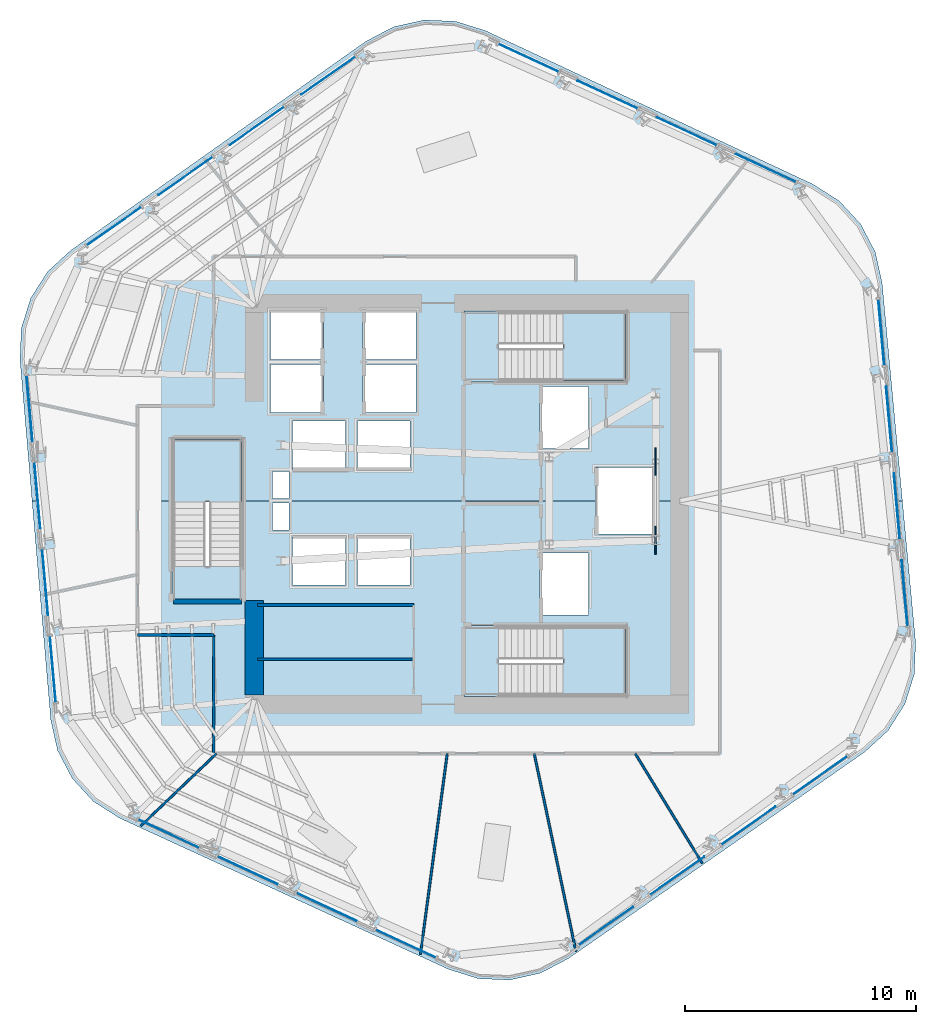
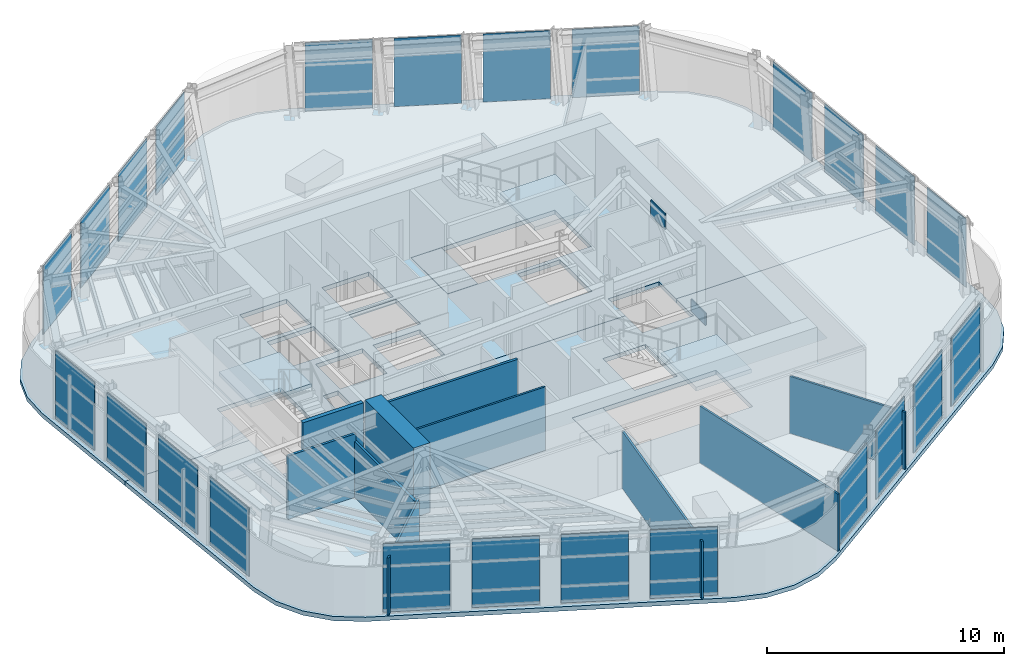
# One storey, part 7 of 14: 26 plates, 10 walls, 8 slabs, 9 elements without a shape of their own.
"""IFC4 building model written with IfcOpenShell, lengths in metres."""

from ifc_helpers import new_model, si_unit, direction, frame, frame_2d, origin, origin_2d, place, context, subcontext, project, spatial, polyline, rectangle, outline, extrude, material, layer, layer_set, type_object, element, aggregate, save


model = new_model("IFC4")

# Units and contexts
model_context = context("Model", 3, precision=1e-05, world=origin(), true_north=direction((0.0, 1.0)))
body_context = subcontext(model_context, "Body", "Model", "MODEL_VIEW")
ifc_project = project(units=[si_unit("LENGTHUNIT", "METRE"), si_unit("AREAUNIT", "SQUARE_METRE"), si_unit("VOLUMEUNIT", "CUBIC_METRE"), si_unit("PLANEANGLEUNIT", "RADIAN"), si_unit("MASSUNIT", "GRAM", prefix="KILO")], contexts=[model_context])

# Site, building, storey
site_placement = place(None, origin())
site = spatial("IfcSite", under=ifc_project, at=site_placement, CompositionType="ELEMENT")
building_placement = place(site_placement, origin())
building = spatial("IfcBuilding", under=site, at=building_placement, Name="Valkerne Bourse Tower", CompositionType="ELEMENT")
storey_placement = place(building_placement, frame((0.0, 0.0, 174.199951171875)))
storey = spatial("IfcBuildingStorey", under=building, at=storey_placement, Name="L44", CompositionType="ELEMENT", Elevation=174.199951171875)

# Curtain wall, plates
ifc_material_1 = material(Name="Aluminium AA 6063-T6", Category="aluminium")
ifc_layer_1 = layer(ifc_material_1, 0.235107421875)
ifc_layer_set_1 = layer_set([ifc_layer_1], Name="Aluminium AA 6063-T6")
curtain_wall_type = type_object("IfcCurtainWallType", Name="CW-03", PredefinedType="NOTDEFINED", material=ifc_layer_set_1)
curtain_wall_1_placement = place(storey_placement, origin())
curtain_wall_1 = element("IfcCurtainWall", 1, at=curtain_wall_1_placement, inside=storey, type_object=curtain_wall_type, Name="L44 Hexagonal Stick Curtain Wall Face 1", PredefinedType="NOTDEFINED")
ifc_material_2 = material(Name="Glass IGU Low-E Double Glazed", Category="glass")
ifc_layer_2 = layer(ifc_material_2, 0.031982421875)
ifc_layer_set_2 = layer_set([ifc_layer_2], Name="Glass IGU Low-E Double Glazed")
plate_type_1 = type_object("IfcPlateType", Name="CW-PNL-IGU-32", PredefinedType="CURTAIN_PANEL", material=ifc_layer_set_2)
plate_1_placement = place(storey_placement, frame((59.712890625, 41.383544921875, 0.030029296875), z_axis=(0.0, 0.0, 1.0), x_axis=(-0.907048392955, 0.421026380215, 0.0)))
plate_1 = element("IfcPlate", 2, at=plate_1_placement, type_object=plate_type_1, Name="CW-L44-F1 Curtain Panel 00", PredefinedType="CURTAIN_PANEL", context=body_context, shape_type="SweptSolid", body=[
    extrude(rectangle(XDim=2.85107421875, YDim=0.031982421875, at=origin_2d()), origin(), (0.0, 0.0, 1.0), 3.52001953125),
])
plate_2_placement = place(storey_placement, frame((56.292236328125, 42.97119140625, 0.030029296875), z_axis=(0.0, 0.0, 1.0), x_axis=(-0.90704369212, 0.421036507426, 0.0)))
plate_2 = element("IfcPlate", 3, at=plate_2_placement, type_object=plate_type_1, Name="CW-L44-F1 Curtain Panel 01", PredefinedType="CURTAIN_PANEL", context=body_context, shape_type="SweptSolid", body=[
    extrude(rectangle(XDim=2.85107421875, YDim=0.031982421875, at=origin_2d()), origin(), (0.0, 0.0, 1.0), 3.52001953125),
])
plate_3_placement = place(storey_placement, frame((52.871826171875, 44.558837890625, 0.030029296875), z_axis=(0.0, 0.0, 1.0), x_axis=(-0.907048392955, 0.421026380215, 0.0)))
plate_3 = element("IfcPlate", 4, at=plate_3_placement, type_object=plate_type_1, Name="CW-L44-F1 Curtain Panel 02", PredefinedType="CURTAIN_PANEL", context=body_context, shape_type="SweptSolid", body=[
    extrude(rectangle(XDim=2.85107421875, YDim=0.031982421875, at=origin_2d()), origin(), (0.0, 0.0, 1.0), 3.52001953125),
])
plate_4_placement = place(storey_placement, frame((49.451416015625, 46.146728515625, 0.030029296875), z_axis=(0.0, 0.0, 1.0), x_axis=(-0.907038265814, 0.42104819718, 0.0)))
plate_4 = element("IfcPlate", 5, at=plate_4_placement, type_object=plate_type_1, Name="CW-L44-F1 Curtain Panel 03", PredefinedType="CURTAIN_PANEL", context=body_context, shape_type="SweptSolid", body=[
    extrude(rectangle(XDim=2.85107421875, YDim=0.031982421875, at=origin_2d()), origin(), (0.0, 0.0, 1.0), 3.52001953125),
])
aggregate(curtain_wall_1, [plate_1, plate_2, plate_3, plate_4])

curtain_wall_2_placement = place(storey_placement, origin())
curtain_wall_2 = element("IfcCurtainWall", 6, at=curtain_wall_2_placement, inside=storey, type_object=curtain_wall_type, Name="L44 Hexagonal Stick Curtain Wall Face 2", PredefinedType="NOTDEFINED")
plate_5_placement = place(storey_placement, frame((40.7998046875, 45.37451171875, 0.030029296875), z_axis=(0.0, 0.0, 1.0), x_axis=(-0.818139097953, -0.575020361728, 0.0)))
plate_5 = element("IfcPlate", 7, at=plate_5_placement, type_object=plate_type_1, Name="CW-L44-F2 Curtain Panel 00", PredefinedType="CURTAIN_PANEL", context=body_context, shape_type="SweptSolid", body=[
    extrude(rectangle(XDim=2.85107421875, YDim=0.031982421875, at=origin_2d()), origin(), (0.0, 0.0, 1.0), 3.52001953125),
])
plate_6_placement = place(storey_placement, frame((37.714599609375, 43.206298828125, 0.030029296875), z_axis=(0.0, 0.0, 1.0), x_axis=(-0.818160340843, -0.574990136151, 0.0)))
plate_6 = element("IfcPlate", 8, at=plate_6_placement, type_object=plate_type_1, Name="CW-L44-F2 Curtain Panel 01", PredefinedType="CURTAIN_PANEL", context=body_context, shape_type="SweptSolid", body=[
    extrude(rectangle(XDim=2.85107421875, YDim=0.031982421875, at=origin_2d()), origin(), (0.0, 0.0, 1.0), 3.52001953125),
])
plate_7_placement = place(storey_placement, frame((34.62939453125, 41.037841796875, 0.030029296875), z_axis=(0.0, 0.0, 1.0), x_axis=(-0.818139097953, -0.575020361728, 0.0)))
plate_7 = element("IfcPlate", 9, at=plate_7_placement, type_object=plate_type_1, Name="CW-L44-F2 Curtain Panel 02", PredefinedType="CURTAIN_PANEL", context=body_context, shape_type="SweptSolid", body=[
    extrude(rectangle(XDim=2.85107421875, YDim=0.031982421875, at=origin_2d()), origin(), (0.0, 0.0, 1.0), 3.52001953125),
])
plate_8_placement = place(storey_placement, frame((31.544189453125, 38.86962890625, 0.030029296875), z_axis=(0.0, 0.0, 1.0), x_axis=(-0.818151573339, -0.575002611335, 0.0)))
plate_8 = element("IfcPlate", 10, at=plate_8_placement, type_object=plate_type_1, Name="CW-L44-F2 Curtain Panel 03", PredefinedType="CURTAIN_PANEL", context=body_context, shape_type="SweptSolid", body=[
    extrude(rectangle(XDim=2.85107421875, YDim=0.031982421875, at=origin_2d()), origin(), (0.0, 0.0, 1.0), 3.52001953125),
])
aggregate(curtain_wall_2, [plate_5, plate_6, plate_7, plate_8])

curtain_wall_3_placement = place(storey_placement, origin())
curtain_wall_3 = element("IfcCurtainWall", 11, at=curtain_wall_3_placement, inside=storey, type_object=curtain_wall_type, Name="L44 Hexagonal Stick Curtain Wall Face 3", PredefinedType="NOTDEFINED")
plate_9_placement = place(storey_placement, frame((27.88720703125, 30.990966796875, 0.030029296875), z_axis=(0.0, 0.0, 1.0), x_axis=(0.088888247408, -0.996041605292, 0.0)))
plate_9 = element("IfcPlate", 12, at=plate_9_placement, type_object=plate_type_1, Name="CW-L44-F3 Curtain Panel 00", PredefinedType="CURTAIN_PANEL", context=body_context, shape_type="SweptSolid", body=[
    extrude(rectangle(XDim=2.85107421875, YDim=0.031982421875, at=origin_2d()), origin(), (0.0, 0.0, 1.0), 3.52001953125),
])
plate_10_placement = place(storey_placement, frame((28.222412109375, 27.235107421875, 0.030029296875), z_axis=(0.0, 0.0, 1.0), x_axis=(0.088890595284, -0.996041395761, 0.0)))
plate_10 = element("IfcPlate", 13, at=plate_10_placement, type_object=plate_type_1, Name="CW-L44-F3 Curtain Panel 01", PredefinedType="CURTAIN_PANEL", context=body_context, shape_type="SweptSolid", body=[
    extrude(rectangle(XDim=2.850830078125, YDim=0.031982421875, at=origin_2d()), origin(), (0.0, 0.0, 1.0), 3.52001953125),
])
plate_11_placement = place(storey_placement, frame((28.5576171875, 23.47900390625, 0.030029296875), z_axis=(0.0, 0.0, 1.0), x_axis=(0.088888247408, -0.996041605292, 0.0)))
plate_11 = element("IfcPlate", 14, at=plate_11_placement, type_object=plate_type_1, Name="CW-L44-F3 Curtain Panel 02", PredefinedType="CURTAIN_PANEL", context=body_context, shape_type="SweptSolid", body=[
    extrude(rectangle(XDim=2.85107421875, YDim=0.031982421875, at=origin_2d()), origin(), (0.0, 0.0, 1.0), 3.52001953125),
])
plate_12_placement = place(storey_placement, frame((28.892578125, 19.722900390625, 0.030029296875), z_axis=(0.0, 0.0, 1.0), x_axis=(0.088888247408, -0.996041605292, 0.0)))
plate_12 = element("IfcPlate", 15, at=plate_12_placement, type_object=plate_type_1, Name="CW-L44-F3 Curtain Panel 03", PredefinedType="CURTAIN_PANEL", context=body_context, shape_type="SweptSolid", body=[
    extrude(rectangle(XDim=2.85107421875, YDim=0.031982421875, at=origin_2d()), origin(), (0.0, 0.0, 1.0), 3.52001953125),
])
aggregate(curtain_wall_3, [plate_9, plate_10, plate_11, plate_12])

curtain_wall_4_placement = place(storey_placement, origin())
curtain_wall_4 = element("IfcCurtainWall", 16, at=curtain_wall_4_placement, inside=storey, type_object=curtain_wall_type, Name="L44 Hexagonal Stick Curtain Wall Face 4", PredefinedType="NOTDEFINED")
plate_13_placement = place(storey_placement, frame((33.88720703125, 12.616455078125, 0.030029296875), z_axis=(0.0, 0.0, 1.0), x_axis=(0.907048392955, -0.421026380215, 0.0)))
plate_13 = element("IfcPlate", 17, at=plate_13_placement, type_object=plate_type_1, Name="CW-L44-F4 Curtain Panel 00", PredefinedType="CURTAIN_PANEL", context=body_context, shape_type="SweptSolid", body=[
    extrude(rectangle(XDim=2.85107421875, YDim=0.031982421875, at=origin_2d()), origin(), (0.0, 0.0, 1.0), 3.52001953125),
])
plate_14_placement = place(storey_placement, frame((37.3076171875, 11.02880859375, 0.030029296875), z_axis=(0.0, 0.0, 1.0), x_axis=(0.90704369212, -0.421036507426, 0.0)))
plate_14 = element("IfcPlate", 18, at=plate_14_placement, type_object=plate_type_1, Name="CW-L44-F4 Curtain Panel 01", PredefinedType="CURTAIN_PANEL", context=body_context, shape_type="SweptSolid", body=[
    extrude(rectangle(XDim=2.85107421875, YDim=0.031982421875, at=origin_2d()), origin(), (0.0, 0.0, 1.0), 3.52001953125),
])
plate_15_placement = place(storey_placement, frame((40.72802734375, 9.441162109375, 0.030029296875), z_axis=(0.0, 0.0, 1.0), x_axis=(0.907048392955, -0.421026380215, 0.0)))
plate_15 = element("IfcPlate", 19, at=plate_15_placement, type_object=plate_type_1, Name="CW-L44-F4 Curtain Panel 02", PredefinedType="CURTAIN_PANEL", context=body_context, shape_type="SweptSolid", body=[
    extrude(rectangle(XDim=2.85107421875, YDim=0.031982421875, at=origin_2d()), origin(), (0.0, 0.0, 1.0), 3.52001953125),
])
plate_16_placement = place(storey_placement, frame((44.148681640625, 7.853271484375, 0.030029296875), z_axis=(0.0, 0.0, 1.0), x_axis=(0.907038265814, -0.42104819718, 0.0)))
plate_16 = element("IfcPlate", 20, at=plate_16_placement, type_object=plate_type_1, Name="CW-L44-F4 Curtain Panel 03", PredefinedType="CURTAIN_PANEL", context=body_context, shape_type="SweptSolid", body=[
    extrude(rectangle(XDim=2.85107421875, YDim=0.031982421875, at=origin_2d()), origin(), (0.0, 0.0, 1.0), 3.52001953125),
])
aggregate(curtain_wall_4, [plate_13, plate_14, plate_15, plate_16])

curtain_wall_5_placement = place(storey_placement, origin())
curtain_wall_5 = element("IfcCurtainWall", 21, at=curtain_wall_5_placement, inside=storey, type_object=curtain_wall_type, Name="L44 Hexagonal Stick Curtain Wall Face 5", PredefinedType="NOTDEFINED")
plate_17_placement = place(storey_placement, frame((52.800048828125, 8.62548828125, 0.030029296875), z_axis=(0.0, 0.0, 1.0), x_axis=(0.818139097953, 0.575020361728, 0.0)))
plate_17 = element("IfcPlate", 22, at=plate_17_placement, type_object=plate_type_1, Name="CW-L44-F5 Curtain Panel 00", PredefinedType="CURTAIN_PANEL", context=body_context, shape_type="SweptSolid", body=[
    extrude(rectangle(XDim=2.85107421875, YDim=0.031982421875, at=origin_2d()), origin(), (0.0, 0.0, 1.0), 3.52001953125),
])
plate_18_placement = place(storey_placement, frame((55.885498046875, 10.793701171875, 0.030029296875), z_axis=(0.0, 0.0, 1.0), x_axis=(0.818160340843, 0.574990136151, 0.0)))
plate_18 = element("IfcPlate", 23, at=plate_18_placement, type_object=plate_type_1, Name="CW-L44-F5 Curtain Panel 01", PredefinedType="CURTAIN_PANEL", context=body_context, shape_type="SweptSolid", body=[
    extrude(rectangle(XDim=2.85107421875, YDim=0.031982421875, at=origin_2d()), origin(), (0.0, 0.0, 1.0), 3.52001953125),
])
plate_19_placement = place(storey_placement, frame((58.970703125, 12.962158203125, 0.030029296875), z_axis=(0.0, 0.0, 1.0), x_axis=(0.818139097953, 0.575020361728, 0.0)))
plate_19 = element("IfcPlate", 24, at=plate_19_placement, type_object=plate_type_1, Name="CW-L44-F5 Curtain Panel 02", PredefinedType="CURTAIN_PANEL", context=body_context, shape_type="SweptSolid", body=[
    extrude(rectangle(XDim=2.85107421875, YDim=0.031982421875, at=origin_2d()), origin(), (0.0, 0.0, 1.0), 3.52001953125),
])
plate_20_placement = place(storey_placement, frame((62.055908203125, 15.13037109375, 0.030029296875), z_axis=(0.0, 0.0, 1.0), x_axis=(0.818151573339, 0.575002611335, 0.0)))
plate_20 = element("IfcPlate", 25, at=plate_20_placement, type_object=plate_type_1, Name="CW-L44-F5 Curtain Panel 03", PredefinedType="CURTAIN_PANEL", context=body_context, shape_type="SweptSolid", body=[
    extrude(rectangle(XDim=2.85107421875, YDim=0.031982421875, at=origin_2d()), origin(), (0.0, 0.0, 1.0), 3.52001953125),
])
aggregate(curtain_wall_5, [plate_17, plate_18, plate_19, plate_20])

curtain_wall_6_placement = place(storey_placement, origin())
curtain_wall_6 = element("IfcCurtainWall", 26, at=curtain_wall_6_placement, inside=storey, type_object=curtain_wall_type, Name="L44 Hexagonal Stick Curtain Wall Face 6", PredefinedType="NOTDEFINED")
plate_21_placement = place(storey_placement, frame((65.712890625, 23.009033203125, 0.030029296875), z_axis=(0.0, 0.0, 1.0), x_axis=(-0.088888247408, 0.996041605292, 0.0)))
plate_21 = element("IfcPlate", 27, at=plate_21_placement, type_object=plate_type_1, Name="CW-L44-F6 Curtain Panel 00", PredefinedType="CURTAIN_PANEL", context=body_context, shape_type="SweptSolid", body=[
    extrude(rectangle(XDim=2.85107421875, YDim=0.031982421875, at=origin_2d()), origin(), (0.0, 0.0, 1.0), 3.52001953125),
])
plate_22_placement = place(storey_placement, frame((65.377685546875, 26.764892578125, 0.030029296875), z_axis=(0.0, 0.0, 1.0), x_axis=(-0.088890595284, 0.996041395761, 0.0)))
plate_22 = element("IfcPlate", 28, at=plate_22_placement, type_object=plate_type_1, Name="CW-L44-F6 Curtain Panel 01", PredefinedType="CURTAIN_PANEL", context=body_context, shape_type="SweptSolid", body=[
    extrude(rectangle(XDim=2.850830078125, YDim=0.031982421875, at=origin_2d()), origin(), (0.0, 0.0, 1.0), 3.52001953125),
])
plate_23_placement = place(storey_placement, frame((65.04248046875, 30.52099609375, 0.030029296875), z_axis=(0.0, 0.0, 1.0), x_axis=(-0.088888247408, 0.996041605292, 0.0)))
plate_23 = element("IfcPlate", 29, at=plate_23_placement, type_object=plate_type_1, Name="CW-L44-F6 Curtain Panel 02", PredefinedType="CURTAIN_PANEL", context=body_context, shape_type="SweptSolid", body=[
    extrude(rectangle(XDim=2.85107421875, YDim=0.031982421875, at=origin_2d()), origin(), (0.0, 0.0, 1.0), 3.52001953125),
])
plate_24_placement = place(storey_placement, frame((64.707275390625, 34.277099609375, 0.030029296875), z_axis=(0.0, 0.0, 1.0), x_axis=(-0.088888247408, 0.996041605292, 0.0)))
plate_24 = element("IfcPlate", 30, at=plate_24_placement, type_object=plate_type_1, Name="CW-L44-F6 Curtain Panel 03", PredefinedType="CURTAIN_PANEL", context=body_context, shape_type="SweptSolid", body=[
    extrude(rectangle(XDim=2.85107421875, YDim=0.031982421875, at=origin_2d()), origin(), (0.0, 0.0, 1.0), 3.52001953125),
])
aggregate(curtain_wall_6, [plate_21, plate_22, plate_23, plate_24])

# Plates
ifc_material_3 = material(Name="Steel ASTM A572 Grade 50", Category="steel")
ifc_layer_3 = layer(ifc_material_3, 0.06005859375)
ifc_layer_set_3 = layer_set([ifc_layer_3], Name="Steel ASTM A572 Grade 50")
plate_type_2 = type_object("IfcPlateType", Name="PLT-GUS-60", PredefinedType="SHEET", material=ifc_layer_set_3)
for number, where, z_axis, x_axis, name in (
    (31, (54.949951171875, 25.300048828125, -0.18017578125), (0.0, 0.0, 1.0), (0.0, 1.0, 0.0), "L44 Brace Node Gusset Plate PLT-GUS-END-L44-404"),
    (32, (54.949951171875, 28.699951171875, 2.8740234375), (0.0, 0.0, 1.0), (0.0, 1.0, 0.0), "L44 Brace Node Gusset Plate PLT-GUS-END-L44-405"),
):
    element("IfcPlate", number, at=place(storey_placement, frame(where, z_axis=z_axis, x_axis=x_axis)), inside=storey, type_object=plate_type_2, Name=name, PredefinedType="SHEET", context=body_context, shape_type="SweptSolid", body=[
        extrude(rectangle(XDim=1.199951171875, YDim=0.06005859375, at=origin_2d()), origin(), (0.0, 0.0, 1.0), 0.800048828125),
    ])

# Slabs
ifc_material_4 = material(Name="Concrete C40/50", Category="concrete")
ifc_layer_4 = layer(ifc_material_4, 0.25)
ifc_layer_set_4 = layer_set([ifc_layer_4], Name="Concrete C40/50")
slab_type_1 = type_object("IfcSlabType", Name="SLB-RMP-LND-250", PredefinedType="LANDING", material=ifc_layer_set_4)
slab_1_placement = place(storey_placement, frame((0.0, 0.0, -0.219970703125)))
element("IfcSlab", 33, at=slab_1_placement, inside=storey, type_object=slab_type_1, Name="L44 ST-1 Floor Landing Slab", PredefinedType="LANDING", context=body_context, shape_type="SweptSolid", body=[
    extrude(outline(polyline([(46.669921875, 18.5400390625), (48.14990234375, 18.5400390625), (48.14990234375, 21.610107421875), (46.669921875, 21.610107421875), (46.669921875, 18.5400390625)])), origin(), (0.0, 0.0, 1.0), 0.219970703125),
])
slab_2_placement = place(storey_placement, frame((0.0, 0.0, -0.219970703125)))
element("IfcSlab", 34, at=slab_2_placement, inside=storey, type_object=slab_type_1, Name="L44 ST-2 Floor Landing Slab", PredefinedType="LANDING", context=body_context, shape_type="SweptSolid", body=[
    extrude(outline(polyline([(46.669921875, 32.139892578125), (48.14990234375, 32.139892578125), (48.14990234375, 35.2099609375), (46.669921875, 35.2099609375), (46.669921875, 32.139892578125)])), origin(), (0.0, 0.0, 1.0), 0.219970703125),
])
slab_3_placement = place(storey_placement, frame((0.0, 0.0, -0.219970703125)))
element("IfcSlab", 35, at=slab_3_placement, inside=storey, type_object=slab_type_1, Name="L44 ST-3 Floor Landing Slab", PredefinedType="LANDING", context=body_context, shape_type="SweptSolid", body=[
    extrude(outline(polyline([(37.110107421875, 22.669921875), (37.110107421875, 24.14990234375), (34.0400390625, 24.14990234375), (34.0400390625, 22.669921875), (37.110107421875, 22.669921875)])), origin(), (0.0, 0.0, 1.0), 0.219970703125),
])

# Stair, slab
stair_type = type_object("IfcStairType", Name="ST-CORE-1400", PredefinedType="HALF_TURN_STAIR", material=ifc_material_4)
stair_1_placement = place(storey_placement, origin())
stair_1 = element("IfcStair", 36, at=stair_1_placement, inside=storey, type_object=stair_type, Name="L44 ST-1", PredefinedType="HALF_TURN_STAIR")
ifc_layer_5 = layer(ifc_material_4, 0.179931640625)
ifc_layer_set_5 = layer_set([ifc_layer_5], Name="Concrete C40/50")
slab_type_2 = type_object("IfcSlabType", Name="SLB-ST-LND-180", PredefinedType="LANDING", material=ifc_layer_set_5)
slab_4_placement = place(storey_placement, frame((0.0, 0.0, 1.699951171875)))
slab_4 = element("IfcSlab", 37, at=slab_4_placement, type_object=slab_type_2, Name="ST-1 landing 1", PredefinedType="LANDING", context=body_context, shape_type="SweptSolid", body=[
    extrude(outline(polyline([(50.949951171875, 18.60009765625), (53.64990234375, 18.60009765625), (53.64990234375, 21.550048828125), (50.949951171875, 21.550048828125), (50.949951171875, 18.60009765625)])), origin(), (0.0, 0.0, 1.0), 0.2001953125),
])
aggregate(stair_1, [slab_4])

stair_2_placement = place(storey_placement, origin())
stair_2 = element("IfcStair", 38, at=stair_2_placement, inside=storey, type_object=stair_type, Name="L44 ST-2", PredefinedType="HALF_TURN_STAIR")
slab_5_placement = place(storey_placement, frame((0.0, 0.0, 1.699951171875)))
slab_5 = element("IfcSlab", 39, at=slab_5_placement, type_object=slab_type_2, Name="ST-2 landing 1", PredefinedType="LANDING", context=body_context, shape_type="SweptSolid", body=[
    extrude(outline(polyline([(50.949951171875, 32.199951171875), (53.64990234375, 32.199951171875), (53.64990234375, 35.14990234375), (50.949951171875, 35.14990234375), (50.949951171875, 32.199951171875)])), origin(), (0.0, 0.0, 1.0), 0.2001953125),
])
aggregate(stair_2, [slab_5])

stair_3_placement = place(storey_placement, origin())
stair_3 = element("IfcStair", 40, at=stair_3_placement, inside=storey, type_object=stair_type, Name="L44 ST-3", PredefinedType="HALF_TURN_STAIR")
slab_6_placement = place(storey_placement, frame((0.0, 0.0, 1.699951171875)))
slab_6 = element("IfcSlab", 41, at=slab_6_placement, type_object=slab_type_2, Name="ST-3 landing 1", PredefinedType="LANDING", context=body_context, shape_type="SweptSolid", body=[
    extrude(outline(polyline([(37.050048828125, 26.949951171875), (37.050048828125, 29.64990234375), (34.10009765625, 29.64990234375), (34.10009765625, 26.949951171875), (37.050048828125, 26.949951171875)])), origin(), (0.0, 0.0, 1.0), 0.2001953125),
])
aggregate(stair_3, [slab_6])

# Slabs
ifc_layer_6 = layer(ifc_material_4, 0.219970703125)
ifc_layer_set_6 = layer_set([ifc_layer_6], Name="Concrete C40/50")
slab_type_3 = type_object("IfcSlabType", Name="SLB-TOW-220", PredefinedType="FLOOR", material=ifc_layer_set_6)
slab_7_placement = place(storey_placement, frame((0.0, 0.0, -0.219970703125)))
element("IfcSlab", 42, at=slab_7_placement, inside=storey, type_object=slab_type_3, Name="L44 Hexagonal Composite Floor Slab S", PredefinedType="FLOOR", context=body_context, shape_type="SweptSolid", body=[
    extrude(outline(polyline([(66.1318359375, 19.51025390625), (65.72607421875, 18.21484375), (64.99853515625, 17.068603515625), (63.99951171875, 16.14990234375), (51.176513671875, 7.2119140625), (49.973388671875, 6.5830078125), (48.648681640625, 6.286865234375), (47.292236328125, 6.343505859375), (45.9970703125, 6.74951171875), (31.793701171875, 13.275634765625), (30.647705078125, 14.0029296875), (29.72900390625, 15.002197265625), (29.099853515625, 16.205078125), (28.8037109375, 17.530029296875), (27.99560546875, 27.0), (34.034912109375, 27.0), (34.034912109375, 22.6650390625), (37.114990234375, 22.6650390625), (37.114990234375, 27.0), (52.360107421875, 27.0), (52.360107421875, 25.56005859375), (54.840087890625, 25.56005859375), (54.840087890625, 27.0), (65.617431640625, 27.0), (66.188720703125, 20.866455078125), (66.1318359375, 19.51025390625)]), holes=[polyline([(41.5400390625, 25.43994140625), (39.260009765625, 25.43994140625), (39.260009765625, 23.360107421875), (41.5400390625, 23.360107421875), (41.5400390625, 25.43994140625)]), polyline([(44.340087890625, 25.43994140625), (42.06005859375, 25.43994140625), (42.06005859375, 23.360107421875), (44.340087890625, 23.360107421875), (44.340087890625, 25.43994140625)]), polyline([(39.10009765625, 26.89990234375), (38.3798828125, 26.89990234375), (38.3798828125, 25.72998046875), (39.10009765625, 25.72998046875), (39.10009765625, 26.89990234375)]), polyline([(53.675048828125, 21.614990234375), (46.6650390625, 21.614990234375), (46.6650390625, 18.534912109375), (53.675048828125, 18.534912109375), (53.675048828125, 21.614990234375)]), polyline([(52.0400390625, 24.739990234375), (49.9599609375, 24.739990234375), (49.9599609375, 22.06005859375), (52.0400390625, 22.06005859375), (52.0400390625, 24.739990234375)])]), origin(), (0.0, 0.0, 1.0), 0.219970703125),
])
slab_8_placement = place(storey_placement, frame((0.0, 0.0, -0.219970703125)))
element("IfcSlab", 43, at=slab_8_placement, inside=storey, type_object=slab_type_3, Name="L44 Hexagonal Composite Floor Slab N", PredefinedType="FLOOR", context=body_context, shape_type="SweptSolid", body=[
    extrude(outline(polyline([(27.474609375, 33.10400390625), (27.531494140625, 34.460205078125), (27.9375, 35.755615234375), (28.664794921875, 36.90185546875), (29.6640625, 37.82080078125), (42.41748046875, 46.85791015625), (43.620361328125, 47.48681640625), (44.9453125, 47.782958984375), (46.301513671875, 47.72607421875), (47.5966796875, 47.3203125), (61.748779296875, 40.68408203125), (62.89501953125, 39.956787109375), (63.81396484375, 38.95751953125), (64.44287109375, 37.754638671875), (64.739013671875, 36.4296875), (65.617431640625, 27.0), (54.840087890625, 27.0), (54.840087890625, 28.43994140625), (52.360107421875, 28.43994140625), (52.360107421875, 27.0), (37.114990234375, 27.0), (37.114990234375, 29.675048828125), (34.034912109375, 29.675048828125), (34.034912109375, 27.0), (27.99560546875, 27.0), (27.474609375, 33.10400390625)]), holes=[polyline([(39.10009765625, 28.27001953125), (38.3798828125, 28.27001953125), (38.3798828125, 27.10009765625), (39.10009765625, 27.10009765625), (39.10009765625, 28.27001953125)]), polyline([(41.5400390625, 30.43994140625), (39.260009765625, 30.43994140625), (39.260009765625, 28.360107421875), (41.5400390625, 28.360107421875), (41.5400390625, 30.43994140625)]), polyline([(40.590087890625, 32.889892578125), (38.31005859375, 32.889892578125), (38.31005859375, 30.81005859375), (40.590087890625, 30.81005859375), (40.590087890625, 32.889892578125)]), polyline([(40.590087890625, 35.18994140625), (38.31005859375, 35.18994140625), (38.31005859375, 33.110107421875), (40.590087890625, 33.110107421875), (40.590087890625, 35.18994140625)]), polyline([(44.340087890625, 30.43994140625), (42.06005859375, 30.43994140625), (42.06005859375, 28.360107421875), (44.340087890625, 28.360107421875), (44.340087890625, 30.43994140625)]), polyline([(52.0400390625, 31.93994140625), (49.9599609375, 31.93994140625), (49.9599609375, 29.260009765625), (52.0400390625, 29.260009765625), (52.0400390625, 31.93994140625)]), polyline([(44.590087890625, 32.889892578125), (42.31005859375, 32.889892578125), (42.31005859375, 30.81005859375), (44.590087890625, 30.81005859375), (44.590087890625, 32.889892578125)]), polyline([(53.675048828125, 35.215087890625), (46.6650390625, 35.215087890625), (46.6650390625, 32.135009765625), (53.675048828125, 32.135009765625), (53.675048828125, 35.215087890625)]), polyline([(44.590087890625, 35.18994140625), (42.31005859375, 35.18994140625), (42.31005859375, 33.110107421875), (44.590087890625, 33.110107421875), (44.590087890625, 35.18994140625)])]), origin(), (0.0, 0.0, 1.0), 0.219970703125),
])

# Walls
ifc_material_5 = material(Name="Concrete C55/67", Category="concrete")
ifc_layer_7 = layer(ifc_material_5, 0.800048828125)
ifc_layer_set_7 = layer_set([ifc_layer_7], Name="Concrete C55/67")
wall_type_1 = type_object("IfcWallType", Name="W-CORE-800", PredefinedType="SHEAR", material=ifc_layer_set_7)
wall_1_placement = place(storey_placement, frame((37.60009765625, 18.60009765625, 0.0), z_axis=(0.0, 0.0, 1.0), x_axis=(0.0, 1.0, 0.0)))
element("IfcWall", 44, at=wall_1_placement, inside=storey, type_object=wall_type_1, Name="L44 Core Shear Wall WEST-S", PredefinedType="SHEAR", context=body_context, shape_type="SweptSolid", body=[
    extrude(rectangle(XDim=4.099853515625, YDim=0.800048828125, at=frame_2d((2.0498046875, 0.0))), origin(), (0.0, 0.0, 1.0), 3.580078125),
])
ifc_material_6 = material(Name="Gypsum Board Steel-Stud Partition", Category="steel")
ifc_layer_8 = layer(ifc_material_6, 0.117919921875)
ifc_layer_set_8 = layer_set([ifc_layer_8], Name="Gypsum Board Steel-Stud Partition")
wall_type_2 = type_object("IfcWallType", Name="W-CORR-140", PredefinedType="PARTITIONING", material=ifc_layer_set_8)
wall_2_placement = place(storey_placement, frame((37.75, 22.5, 0.0), z_axis=(0.0, 0.0, 1.0), x_axis=(1.0, 0.0, 0.0)))
element("IfcWall", 45, at=wall_2_placement, inside=storey, type_object=wall_type_2, Name="L44 LV7 Low-Bank North Wall", PredefinedType="PARTITIONING", context=body_context, shape_type="SweptSolid", body=[
    extrude(rectangle(XDim=6.75, YDim=0.117919921875, at=frame_2d((3.375, 0.0))), origin(), (0.0, 0.0, 1.0), 3.280029296875),
])
wall_3_placement = place(storey_placement, frame((35.85009765625, 16.080078125, 0.0), z_axis=(0.0, 0.0, 1.0), x_axis=(0.0, 1.0, 0.0)))
element("IfcWall", 46, at=wall_3_placement, inside=storey, type_object=wall_type_2, Name="L44 Corridor Enclosure Wall", PredefinedType="PARTITIONING", context=body_context, shape_type="SweptSolid", body=[
    extrude(rectangle(XDim=5.119873046875, YDim=0.117919921875, at=frame_2d((2.56005859375, 0.0))), origin(), (0.0, 0.0, 1.0), 2.876708984375),
])
wall_4_placement = place(storey_placement, frame((35.85009765625, 21.199951171875, 0.0), z_axis=(0.0, 0.0, 1.0), x_axis=(-1.0, 0.0, 0.0)))
element("IfcWall", 47, at=wall_4_placement, inside=storey, type_object=wall_type_2, Name="L44 Corridor Enclosure Wall", PredefinedType="PARTITIONING", context=body_context, shape_type="SweptSolid", body=[
    extrude(rectangle(XDim=3.300048828125, YDim=0.117919921875, at=frame_2d((1.64990234375, 0.0))), origin(), (0.0, 0.0, 1.0), 3.260009765625),
])
ifc_layer_9 = layer(ifc_material_6, 0.092041015625)
ifc_layer_set_9 = layer_set([ifc_layer_9], Name="Gypsum Board Steel-Stud Partition")
wall_type_3 = type_object("IfcWallType", Name="W-PART-115", PredefinedType="PARTITIONING", material=ifc_layer_set_9)
wall_5_placement = place(storey_placement, frame((37.75, 20.14990234375, 0.0), z_axis=(0.0, 0.0, 1.0), x_axis=(1.0, 0.0, 0.0)))
element("IfcWall", 48, at=wall_5_placement, inside=storey, type_object=wall_type_3, Name="L44 LV7 Low-Bank Sub-Divider", PredefinedType="PARTITIONING", context=body_context, shape_type="SweptSolid", body=[
    extrude(rectangle(XDim=6.75, YDim=0.092041015625, at=frame_2d((3.375, 0.0))), origin(), (0.0, 0.0, 1.0), 3.280029296875),
])
wall_6_placement = place(storey_placement, frame((45.9423828125, 16.074951171875, 0.0), z_axis=(0.0, 0.0, 1.0), x_axis=(-0.132269510627, -0.991213789532, 0.0)))
element("IfcWall", 49, at=wall_6_placement, inside=storey, type_object=wall_type_3, Name="L44 Suite Partition P01", PredefinedType="PARTITIONING", context=body_context, shape_type="SweptSolid", body=[
    extrude(rectangle(XDim=8.767578125, YDim=0.092041015625, at=frame_2d((4.3837890625, 0.0))), origin(), (0.0, 0.0, 1.0), 2.942626953125),
])
wall_7_placement = place(storey_placement, frame((49.702392578125, 16.074951171875, 0.0), z_axis=(0.0, 0.0, 1.0), x_axis=(0.20618650703, -0.978512710351, 0.0)))
element("IfcWall", 50, at=wall_7_placement, inside=storey, type_object=wall_type_3, Name="L44 Suite Partition P02", PredefinedType="PARTITIONING", context=body_context, shape_type="SweptSolid", body=[
    extrude(rectangle(XDim=8.7373046875, YDim=0.092041015625, at=frame_2d((4.36865234375, 0.0))), origin(), (0.0, 0.0, 1.0), 2.942626953125),
])
wall_8_placement = place(storey_placement, frame((54.068603515625, 16.074951171875, 0.0), z_axis=(0.0, 0.0, 1.0), x_axis=(0.521005706322, -0.85355319341, 0.0)))
element("IfcWall", 51, at=wall_8_placement, inside=storey, type_object=wall_type_3, Name="L44 Suite Partition P03", PredefinedType="PARTITIONING", context=body_context, shape_type="SweptSolid", body=[
    extrude(rectangle(XDim=5.5576171875, YDim=0.092041015625, at=frame_2d((2.77880859375, 0.0))), origin(), (0.0, 0.0, 1.0), 2.942626953125),
])
wall_9_placement = place(storey_placement, frame((35.97021484375, 16.074951171875, 0.0), z_axis=(0.0, 0.0, 1.0), x_axis=(-0.722883754934, -0.690969664205, 0.0)))
element("IfcWall", 52, at=wall_9_placement, inside=storey, type_object=wall_type_3, Name="L44 Suite Partition P08", PredefinedType="PARTITIONING", context=body_context, shape_type="SweptSolid", body=[
    extrude(rectangle(XDim=4.536376953125, YDim=0.092041015625, at=frame_2d((2.26806640625, 0.0))), origin(), (0.0, 0.0, 1.0), 2.942626953125),
])
ifc_layer_10 = layer(ifc_material_4, 0.199951171875)
ifc_layer_set_10 = layer_set([ifc_layer_10], Name="Concrete C40/50")
wall_type_4 = type_object("IfcWallType", Name="W-SHF-200", PredefinedType="SHEAR", material=ifc_layer_set_10)
wall_10_placement = place(storey_placement, frame((34.10009765625, 22.64990234375, 0.0), z_axis=(0.0, 0.0, 1.0), x_axis=(1.0, 0.0, 0.0)))
element("IfcWall", 53, at=wall_10_placement, inside=storey, type_object=wall_type_4, Name="L44 Exit Stair ST-3 Structural Shaft Wall South", PredefinedType="SHEAR", context=body_context, shape_type="SweptSolid", body=[
    extrude(rectangle(XDim=2.949951171875, YDim=0.199951171875, at=frame_2d((1.47509765625, 0.0))), origin(), (0.0, 0.0, 1.0), 3.580078125),
])

save(model, "model.ifc")
